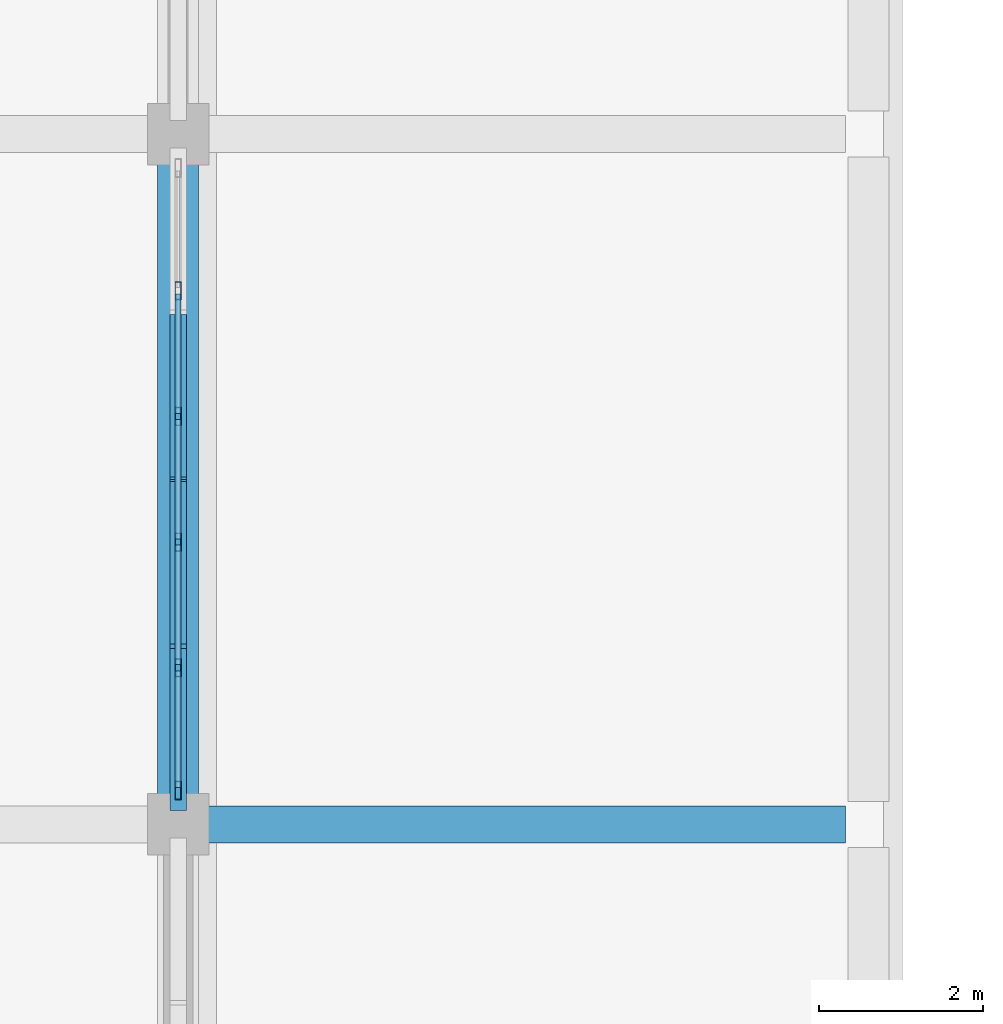
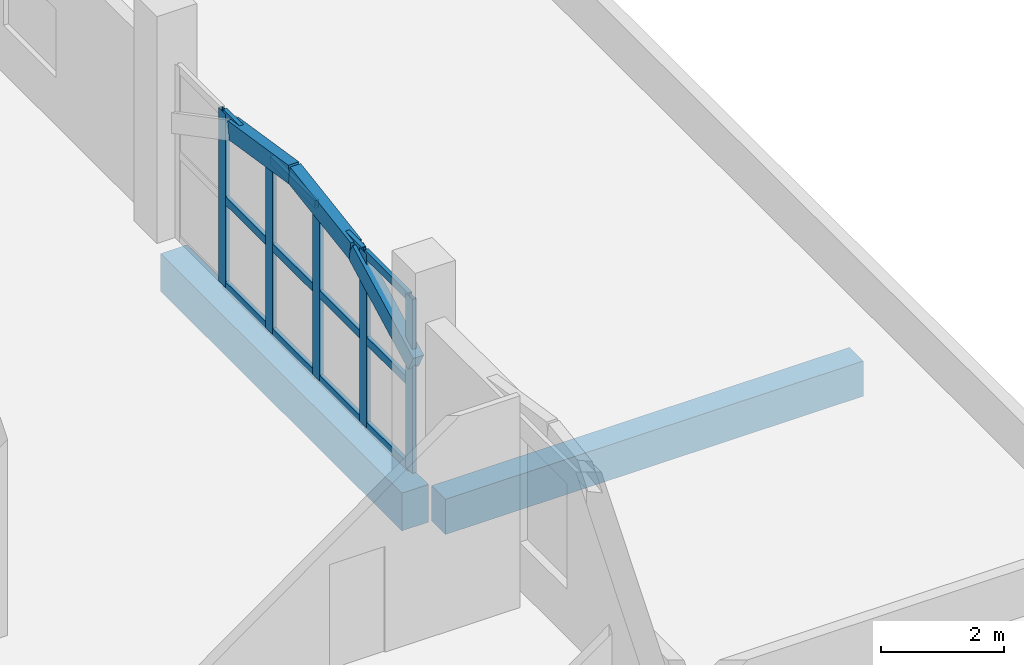
# One storey, part 12 of 34: 20 members, 2 beams, 1 element without a shape of its own.
"""IFC4 building model written with IfcOpenShell, lengths in metres."""

from ifc_helpers import new_model, si_unit, direction, frame, origin, origin_2d, place, context, subcontext, project, spatial, rectangle, hollow_rectangle, extrude, material, layer, layer_set, material_profile, profile_set, type_object, element, aggregate, save


model = new_model("IFC4")

# Units and contexts
model_context = context("Model", 3, precision=1e-05, world=origin(), true_north=direction((0.0, 1.0)))
body_context = subcontext(model_context, "Body", "Model", "MODEL_VIEW")
ifc_project = project(units=[si_unit("LENGTHUNIT", "METRE"), si_unit("AREAUNIT", "SQUARE_METRE"), si_unit("VOLUMEUNIT", "CUBIC_METRE"), si_unit("PLANEANGLEUNIT", "RADIAN"), si_unit("MASSUNIT", "GRAM", prefix="KILO")], contexts=[model_context])

# Site, building, storey
site_placement = place(None, origin())
site = spatial("IfcSite", under=ifc_project, at=site_placement, CompositionType="ELEMENT")
building_placement = place(site_placement, origin())
building = spatial("IfcBuilding", under=site, at=building_placement, Name="Xazarin Passage Department Store", CompositionType="ELEMENT")
storey_placement = place(building_placement, frame((0.0, 0.0, 18.89990234375)))
storey = spatial("IfcBuildingStorey", under=building, at=storey_placement, Name="L04", CompositionType="ELEMENT", Elevation=18.89990234375)

# Curtain wall, members
ifc_material_1 = material(Name="Bronze anodised aluminium", Category="aluminium")
ifc_layer = layer(ifc_material_1, 0.199951171875)
ifc_layer_set = layer_set([ifc_layer], Name="Bronze anodised aluminium")
curtain_wall_type = type_object("IfcCurtainWallType", Name="ARC-CW-VIT2", PredefinedType="NOTDEFINED", material=ifc_layer_set)
curtain_wall_placement = place(storey_placement, origin())
curtain_wall = element("IfcCurtainWall", 1, at=curtain_wall_placement, inside=storey, type_object=curtain_wall_type, Name="L04 V1 Curtain Wall 075", PredefinedType="NOTDEFINED")
ifc_material_profile_1 = material_profile(ifc_material_1, hollow_rectangle(XDim=0.074951171875, YDim=0.219970703125, WallThickness=0.0048828125, at=origin_2d()), Name="ALU 75x220")
ifc_profile_set_1 = profile_set([ifc_material_profile_1], Name="Bronze anodised aluminium")
member_type_1 = type_object("IfcMemberType", Name="ARC-CWM-75x220", PredefinedType="MULLION", material=ifc_profile_set_1)
member_1_placement = place(storey_placement, frame((42.0, 93.612548828125, 0.0), z_axis=(0.0, 0.0, 1.0), x_axis=(-1.0, 0.0, 0.0)))
member_1 = element("IfcMember", 2, at=member_1_placement, type_object=member_type_1, Name="CW2 mullion 1", PredefinedType="MULLION", context=body_context, shape_type="SweptSolid", body=[
    extrude(hollow_rectangle(XDim=0.074951171875, YDim=0.219970703125, WallThickness=0.0048828125, at=origin_2d()), origin(), (0.0, 0.0, 1.0), 3.4501953125),
])
member_2_placement = place(storey_placement, frame((42.0, 95.10498046875, 0.0), z_axis=(0.0, 0.0, 1.0), x_axis=(-1.0, 0.0, 0.0)))
member_2 = element("IfcMember", 3, at=member_2_placement, type_object=member_type_1, Name="CW2 mullion 2", PredefinedType="MULLION", context=body_context, shape_type="SweptSolid", body=[
    extrude(hollow_rectangle(XDim=0.074951171875, YDim=0.219970703125, WallThickness=0.0048828125, at=origin_2d()), origin(), (0.0, 0.0, 1.0), 3.4501953125),
])
member_3_placement = place(storey_placement, frame((42.0, 96.635009765625, 0.0), z_axis=(0.0, 0.0, 1.0), x_axis=(-1.0, 0.0, 0.0)))
member_3 = element("IfcMember", 4, at=member_3_placement, type_object=member_type_1, Name="CW2 mullion 3", PredefinedType="MULLION", context=body_context, shape_type="SweptSolid", body=[
    extrude(hollow_rectangle(XDim=0.074951171875, YDim=0.219970703125, WallThickness=0.0048828125, at=origin_2d()), origin(), (0.0, 0.0, 1.0), 3.4501953125),
])
member_4_placement = place(storey_placement, frame((42.0, 98.1650390625, 0.0), z_axis=(0.0, 0.0, 1.0), x_axis=(-1.0, 0.0, 0.0)))
member_4 = element("IfcMember", 5, at=member_4_placement, type_object=member_type_1, Name="CW2 mullion 4", PredefinedType="MULLION", context=body_context, shape_type="SweptSolid", body=[
    extrude(hollow_rectangle(XDim=0.074951171875, YDim=0.219970703125, WallThickness=0.0048828125, at=origin_2d()), origin(), (0.0, 0.0, 1.0), 3.4501953125),
])
member_5_placement = place(storey_placement, frame((42.0, 99.695068359375, 0.0), z_axis=(0.0, 0.0, 1.0), x_axis=(-1.0, 0.0, 0.0)))
member_5 = element("IfcMember", 6, at=member_5_placement, type_object=member_type_1, Name="CW2 mullion 5", PredefinedType="MULLION", context=body_context, shape_type="SweptSolid", body=[
    extrude(hollow_rectangle(XDim=0.074951171875, YDim=0.219970703125, WallThickness=0.0048828125, at=origin_2d()), origin(), (0.0, 0.0, 1.0), 3.4501953125),
])
ifc_material_profile_2 = material_profile(ifc_material_1, hollow_rectangle(XDim=0.074951171875, YDim=0.159912109375, WallThickness=0.00439453125, at=origin_2d()), Name="ALU 75x160")
ifc_profile_set_2 = profile_set([ifc_material_profile_2], Name="Bronze anodised aluminium")
member_type_2 = type_object("IfcMemberType", Name="ARC-CWT-75x160", PredefinedType="USERDEFINED", material=ifc_profile_set_2)
member_6_placement = place(storey_placement, frame((42.0, 93.64990234375, 0.03759765625), z_axis=(0.0, 1.0, 0.0), x_axis=(-1.0, 0.0, 0.0)))
member_6 = element("IfcMember", 7, at=member_6_placement, type_object=member_type_2, Name="CW2 transom 1.1", ObjectType="TRANSOM", PredefinedType="USERDEFINED", context=body_context, shape_type="SweptSolid", body=[
    extrude(hollow_rectangle(XDim=0.074951171875, YDim=0.159912109375, WallThickness=0.00439453125, at=origin_2d()), origin(), (0.0, 0.0, 1.0), 1.41748046875),
])
member_7_placement = place(storey_placement, frame((42.0, 93.64990234375, 1.72509765625), z_axis=(0.0, 1.0, 0.0), x_axis=(-1.0, 0.0, 0.0)))
member_7 = element("IfcMember", 8, at=member_7_placement, type_object=member_type_2, Name="CW2 transom 1.2", ObjectType="TRANSOM", PredefinedType="USERDEFINED", context=body_context, shape_type="SweptSolid", body=[
    extrude(hollow_rectangle(XDim=0.074951171875, YDim=0.159912109375, WallThickness=0.00439453125, at=origin_2d()), origin(), (0.0, 0.0, 1.0), 1.41748046875),
])
member_8_placement = place(storey_placement, frame((42.0, 93.64990234375, 3.41259765625), z_axis=(0.0, 1.0, 0.0), x_axis=(-1.0, 0.0, 0.0)))
member_8 = element("IfcMember", 9, at=member_8_placement, type_object=member_type_2, Name="CW2 transom 1.3", ObjectType="TRANSOM", PredefinedType="USERDEFINED", context=body_context, shape_type="SweptSolid", body=[
    extrude(hollow_rectangle(XDim=0.074951171875, YDim=0.159912109375, WallThickness=0.00439453125, at=origin_2d()), origin(), (0.0, 0.0, 1.0), 1.41748046875),
])
member_9_placement = place(storey_placement, frame((42.0, 95.142578125, 0.03759765625), z_axis=(0.0, 1.0, 0.0), x_axis=(-1.0, 0.0, 0.0)))
member_9 = element("IfcMember", 10, at=member_9_placement, type_object=member_type_2, Name="CW2 transom 2.1", ObjectType="TRANSOM", PredefinedType="USERDEFINED", context=body_context, shape_type="SweptSolid", body=[
    extrude(hollow_rectangle(XDim=0.074951171875, YDim=0.159912109375, WallThickness=0.00439453125, at=origin_2d()), origin(), (0.0, 0.0, 1.0), 1.454833984375),
])
member_10_placement = place(storey_placement, frame((42.0, 95.142578125, 1.72509765625), z_axis=(0.0, 1.0, 0.0), x_axis=(-1.0, 0.0, 0.0)))
member_10 = element("IfcMember", 11, at=member_10_placement, type_object=member_type_2, Name="CW2 transom 2.2", ObjectType="TRANSOM", PredefinedType="USERDEFINED", context=body_context, shape_type="SweptSolid", body=[
    extrude(hollow_rectangle(XDim=0.074951171875, YDim=0.159912109375, WallThickness=0.00439453125, at=origin_2d()), origin(), (0.0, 0.0, 1.0), 1.454833984375),
])
member_11_placement = place(storey_placement, frame((42.0, 95.142578125, 3.41259765625), z_axis=(0.0, 1.0, 0.0), x_axis=(-1.0, 0.0, 0.0)))
member_11 = element("IfcMember", 12, at=member_11_placement, type_object=member_type_2, Name="CW2 transom 2.3", ObjectType="TRANSOM", PredefinedType="USERDEFINED", context=body_context, shape_type="SweptSolid", body=[
    extrude(hollow_rectangle(XDim=0.074951171875, YDim=0.159912109375, WallThickness=0.00439453125, at=origin_2d()), origin(), (0.0, 0.0, 1.0), 1.454833984375),
])
member_12_placement = place(storey_placement, frame((42.0, 96.672607421875, 0.03759765625), z_axis=(0.0, 1.0, 0.0), x_axis=(-1.0, 0.0, 0.0)))
member_12 = element("IfcMember", 13, at=member_12_placement, type_object=member_type_2, Name="CW2 transom 3.1", ObjectType="TRANSOM", PredefinedType="USERDEFINED", context=body_context, shape_type="SweptSolid", body=[
    extrude(hollow_rectangle(XDim=0.074951171875, YDim=0.159912109375, WallThickness=0.00439453125, at=origin_2d()), origin(), (0.0, 0.0, 1.0), 1.454833984375),
])
member_13_placement = place(storey_placement, frame((42.0, 96.672607421875, 1.72509765625), z_axis=(0.0, 1.0, 0.0), x_axis=(-1.0, 0.0, 0.0)))
member_13 = element("IfcMember", 14, at=member_13_placement, type_object=member_type_2, Name="CW2 transom 3.2", ObjectType="TRANSOM", PredefinedType="USERDEFINED", context=body_context, shape_type="SweptSolid", body=[
    extrude(hollow_rectangle(XDim=0.074951171875, YDim=0.159912109375, WallThickness=0.00439453125, at=origin_2d()), origin(), (0.0, 0.0, 1.0), 1.454833984375),
])
member_14_placement = place(storey_placement, frame((42.0, 96.672607421875, 3.41259765625), z_axis=(0.0, 1.0, 0.0), x_axis=(-1.0, 0.0, 0.0)))
member_14 = element("IfcMember", 15, at=member_14_placement, type_object=member_type_2, Name="CW2 transom 3.3", ObjectType="TRANSOM", PredefinedType="USERDEFINED", context=body_context, shape_type="SweptSolid", body=[
    extrude(hollow_rectangle(XDim=0.074951171875, YDim=0.159912109375, WallThickness=0.00439453125, at=origin_2d()), origin(), (0.0, 0.0, 1.0), 1.454833984375),
])
member_15_placement = place(storey_placement, frame((42.0, 98.202392578125, 0.03759765625), z_axis=(0.0, 1.0, 0.0), x_axis=(-1.0, 0.0, 0.0)))
member_15 = element("IfcMember", 16, at=member_15_placement, type_object=member_type_2, Name="CW2 transom 4.1", ObjectType="TRANSOM", PredefinedType="USERDEFINED", context=body_context, shape_type="SweptSolid", body=[
    extrude(hollow_rectangle(XDim=0.074951171875, YDim=0.159912109375, WallThickness=0.00439453125, at=origin_2d()), origin(), (0.0, 0.0, 1.0), 1.455078125),
])
member_16_placement = place(storey_placement, frame((42.0, 98.202392578125, 1.72509765625), z_axis=(0.0, 1.0, 0.0), x_axis=(-1.0, 0.0, 0.0)))
member_16 = element("IfcMember", 17, at=member_16_placement, type_object=member_type_2, Name="CW2 transom 4.2", ObjectType="TRANSOM", PredefinedType="USERDEFINED", context=body_context, shape_type="SweptSolid", body=[
    extrude(hollow_rectangle(XDim=0.074951171875, YDim=0.159912109375, WallThickness=0.00439453125, at=origin_2d()), origin(), (0.0, 0.0, 1.0), 1.455078125),
])
member_17_placement = place(storey_placement, frame((42.0, 98.202392578125, 3.41259765625), z_axis=(0.0, 1.0, 0.0), x_axis=(-1.0, 0.0, 0.0)))
member_17 = element("IfcMember", 18, at=member_17_placement, type_object=member_type_2, Name="CW2 transom 4.3", ObjectType="TRANSOM", PredefinedType="USERDEFINED", context=body_context, shape_type="SweptSolid", body=[
    extrude(hollow_rectangle(XDim=0.074951171875, YDim=0.159912109375, WallThickness=0.00439453125, at=origin_2d()), origin(), (0.0, 0.0, 1.0), 1.455078125),
])
aggregate(curtain_wall, [member_1, member_2, member_3, member_4, member_5, member_6, member_7, member_8, member_9, member_10, member_11, member_12, member_13, member_14, member_15, member_16, member_17])

# Beams
ifc_material_2 = material(Name="Concrete C35/45", Category="concrete")
ifc_material_profile_3 = material_profile(ifc_material_2, rectangle(XDim=0.449951171875, YDim=0.699951171875, at=origin_2d()), Name="RC 450x700")
ifc_profile_set_3 = profile_set([ifc_material_profile_3], Name="Concrete C35/45")
beam_type_1 = type_object("IfcBeamType", Name="STR-BM-G450x700", PredefinedType="BEAM", material=ifc_profile_set_3)
beam_1_placement = place(storey_placement, frame((42.280029296875, 93.199951171875, -0.64990234375), z_axis=(1.0, 0.0, 0.0), x_axis=(0.0, 1.0, 0.0)))
element("IfcBeam", 19, at=beam_1_placement, inside=storey, type_object=beam_type_1, Name="L04 Grid Beam N/6-7", PredefinedType="BEAM", context=body_context, shape_type="SweptSolid", body=[
    extrude(rectangle(XDim=0.449951171875, YDim=0.699951171875, at=origin_2d()), origin(), (0.0, 0.0, 1.0), 7.840087890625),
])
ifc_material_profile_4 = material_profile(ifc_material_2, rectangle(XDim=0.5, YDim=0.75, at=origin_2d()), Name="RC 500x750")
ifc_profile_set_4 = profile_set([ifc_material_profile_4], Name="Concrete C35/45")
beam_type_2 = type_object("IfcBeamType", Name="STR-BM-SP500x750", PredefinedType="SPANDREL", material=ifc_profile_set_4)
beam_2_placement = place(storey_placement, frame((42.0, 93.47998046875, -0.6748046875), z_axis=(0.0, 1.0, 0.0), x_axis=(-1.0, 0.0, 0.0)))
element("IfcBeam", 20, at=beam_2_placement, inside=storey, type_object=beam_type_2, Name="L04 Grid Beam 6/N-P", PredefinedType="SPANDREL", context=body_context, shape_type="SweptSolid", body=[
    extrude(rectangle(XDim=0.5, YDim=0.75, at=origin_2d()), origin(), (0.0, 0.0, 1.0), 7.840087890625),
])

# Members
ifc_material_3 = material(Name="Concrete C40/50", Category="concrete")
ifc_material_profile_5 = material_profile(ifc_material_3, rectangle(XDim=0.199951171875, YDim=0.360107421875, at=origin_2d()), Name="RC 200x360")
ifc_profile_set_5 = profile_set([ifc_material_profile_5], Name="Concrete C40/50")
member_type_3 = type_object("IfcMemberType", Name="STR-MEM-ARC360", PredefinedType="CHORD", material=ifc_profile_set_5)
member_18_placement = place(storey_placement, frame((42.0, 93.449951171875, 2.22998046875), z_axis=(0.0, 0.88473311603, 0.466097965454), x_axis=(-1.0, 0.0, 0.0)))
element("IfcMember", 21, at=member_18_placement, inside=storey, type_object=member_type_3, Name="L04 V1 Upper Setback Pierced Arch 026.1", PredefinedType="CHORD", context=body_context, shape_type="SweptSolid", body=[
    extrude(rectangle(XDim=0.199951171875, YDim=0.360107421875, at=origin_2d()), origin(), (0.0, 0.0, 1.0), 2.232421875),
])
member_19_placement = place(storey_placement, frame((42.0, 95.425048828125, 3.2705078125), z_axis=(0.0, 0.987935652704, 0.154864928623), x_axis=(-1.0, 0.0, 0.0)))
element("IfcMember", 22, at=member_19_placement, inside=storey, type_object=member_type_3, Name="L04 V1 Upper Setback Pierced Arch 026.2", PredefinedType="CHORD", context=body_context, shape_type="SweptSolid", body=[
    extrude(rectangle(XDim=0.199951171875, YDim=0.360107421875, at=origin_2d()), origin(), (0.0, 0.0, 1.0), 1.9990234375),
])
member_20_placement = place(storey_placement, frame((42.0, 97.39990234375, 3.580078125), z_axis=(0.0, 0.987938581312, -0.154846244883), x_axis=(-1.0, 0.0, 0.0)))
element("IfcMember", 23, at=member_20_placement, inside=storey, type_object=member_type_3, Name="L04 V1 Upper Setback Pierced Arch 026.3", PredefinedType="CHORD", context=body_context, shape_type="SweptSolid", body=[
    extrude(rectangle(XDim=0.199951171875, YDim=0.360107421875, at=origin_2d()), origin(), (0.0, 0.0, 1.0), 1.999267578125),
])

save(model, "model.ifc")
